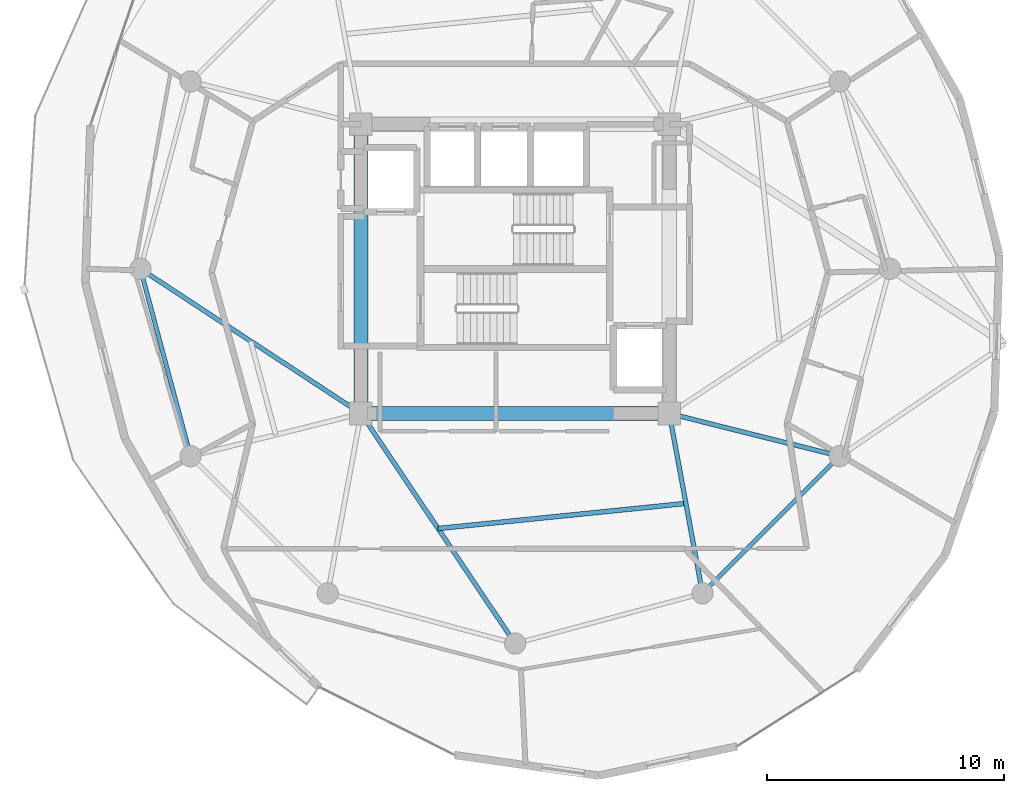
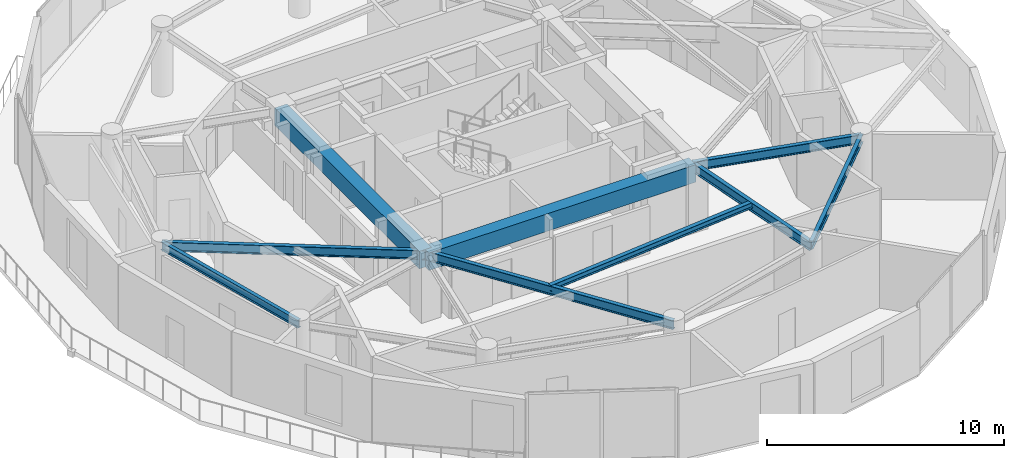
# One storey, part 6 of 19: 9 beams.
"""IFC4 building model written with IfcOpenShell, lengths in metres."""

from ifc_helpers import new_model, si_unit, direction, frame, origin, origin_2d, place, context, subcontext, project, spatial, rectangle, i_section, extrude, material, material_profile, profile_set, type_object, element, save


model = new_model("IFC4")

# Units and contexts
model_context = context("Model", 3, precision=1e-05, world=origin(), true_north=direction((0.0, 1.0)))
body_context = subcontext(model_context, "Body", "Model", "MODEL_VIEW")
ifc_project = project(units=[si_unit("LENGTHUNIT", "METRE"), si_unit("AREAUNIT", "SQUARE_METRE"), si_unit("VOLUMEUNIT", "CUBIC_METRE"), si_unit("PLANEANGLEUNIT", "RADIAN"), si_unit("MASSUNIT", "GRAM", prefix="KILO")], contexts=[model_context])

# Site, building, storey
site_placement = place(None, origin())
site = spatial("IfcSite", under=ifc_project, at=site_placement, CompositionType="ELEMENT")
building_placement = place(site_placement, origin())
building = spatial("IfcBuilding", under=site, at=building_placement, Name="Solvirekh Grand Hotel", CompositionType="ELEMENT")
storey_placement = place(building_placement, frame((0.0, 0.0, 212.800048828125)))
storey = spatial("IfcBuildingStorey", under=building, at=storey_placement, Name="L55", CompositionType="ELEMENT", Elevation=212.800048828125)

# Beams
ifc_material_1 = material(Name="Concrete C50/60", Category="concrete")
ifc_material_profile_1 = material_profile(ifc_material_1, rectangle(XDim=0.60009765625, YDim=0.89990234375, at=origin_2d()), Name="RC BEAM 600X900")
ifc_profile_set_1 = profile_set([ifc_material_profile_1], Name="Concrete C50/60")
beam_type_1 = type_object("IfcBeamType", Name="Beam_Core_RC900", PredefinedType="BEAM", material=ifc_profile_set_1)
beam_1_placement = place(storey_placement, frame((-6.5, -6.10009765625, 2.909912109375), z_axis=(1.0, 0.0, 0.0), x_axis=(0.0, 1.0, 0.0)))
element("IfcBeam", 1, at=beam_1_placement, inside=storey, type_object=beam_type_1, Name="L55 core coupling ring beam 1", PredefinedType="BEAM", context=body_context, shape_type="SweptSolid", body=[
    extrude(rectangle(XDim=0.60009765625, YDim=0.89990234375, at=origin_2d()), origin(), (0.0, 0.0, 1.0), 13.0),
])
beam_2_placement = place(storey_placement, frame((-6.5, 6.10009765625, 2.909912109375), z_axis=(0.0, -1.0, 0.0), x_axis=(1.0, 0.0, 0.0)))
element("IfcBeam", 2, at=beam_2_placement, inside=storey, type_object=beam_type_1, Name="L55 core coupling ring beam 4", PredefinedType="BEAM", context=body_context, shape_type="SweptSolid", body=[
    extrude(rectangle(XDim=0.60009765625, YDim=0.89990234375, at=origin_2d()), origin(), (0.0, 0.0, 1.0), 12.2001953125),
])
ifc_material_2 = material(Name="Steel S355", Category="steel")
ifc_material_profile_2 = material_profile(ifc_material_2, i_section(OverallWidth=0.194091796875, OverallDepth=0.468994140625, WebThickness=0.010986328125, FlangeThickness=0.01904296875, FilletRadius=0.012939453125, at=origin_2d()), Name="W460X106")
ifc_profile_set_2 = profile_set([ifc_material_profile_2], Name="Steel S355")
beam_type_2 = type_object("IfcBeamType", Name="Beam_Radial_W460H", PredefinedType="BEAM", material=ifc_profile_set_2)
beam_3_placement = place(storey_placement, frame((-6.5, -6.10009765625, 3.125), z_axis=(-0.836174064962, 0.548464158432, 0.0), x_axis=(-0.548464158432, -0.836174064962, 0.0)))
element("IfcBeam", 3, at=beam_3_placement, inside=storey, type_object=beam_type_2, Name="L55 radial floor beam R07", PredefinedType="BEAM", context=body_context, shape_type="SweptSolid", body=[
    extrude(i_section(OverallWidth=0.194091796875, OverallDepth=0.468994140625, WebThickness=0.010986328125, FlangeThickness=0.01904296875, FilletRadius=0.012939453125, at=origin_2d()), origin(), (0.0, 0.0, 1.0), 11.1220703125),
])
beam_4_placement = place(storey_placement, frame((-6.5, -6.10009765625, 3.125), z_axis=(0.556676926176, -0.830729077295, 0.0), x_axis=(0.830729077295, 0.556676926176, 0.0)))
element("IfcBeam", 4, at=beam_4_placement, inside=storey, type_object=beam_type_2, Name="L55 radial floor beam R10", PredefinedType="BEAM", context=body_context, shape_type="SweptSolid", body=[
    extrude(i_section(OverallWidth=0.194091796875, OverallDepth=0.468994140625, WebThickness=0.010986328125, FlangeThickness=0.01904296875, FilletRadius=0.012939453125, at=origin_2d()), origin(), (0.0, 0.0, 1.0), 11.676513671875),
])
beam_5_placement = place(storey_placement, frame((6.5, -6.10009765625, 3.125), z_axis=(0.181542769111, -0.983383049978, 0.0), x_axis=(0.983383049978, 0.181542769111, 0.0)))
element("IfcBeam", 5, at=beam_5_placement, inside=storey, type_object=beam_type_2, Name="L55 radial floor beam R11", PredefinedType="BEAM", context=body_context, shape_type="SweptSolid", body=[
    extrude(i_section(OverallWidth=0.194091796875, OverallDepth=0.468994140625, WebThickness=0.010986328125, FlangeThickness=0.01904296875, FilletRadius=0.012939453125, at=origin_2d()), origin(), (0.0, 0.0, 1.0), 7.711181640625),
])
beam_6_placement = place(storey_placement, frame((6.5, -6.10009765625, 3.125), z_axis=(0.970014367692, -0.243047580675, 0.0), x_axis=(0.243047580675, 0.970014367692, 0.0)))
element("IfcBeam", 6, at=beam_6_placement, inside=storey, type_object=beam_type_2, Name="L55 radial floor beam R12", PredefinedType="BEAM", context=body_context, shape_type="SweptSolid", body=[
    extrude(i_section(OverallWidth=0.194091796875, OverallDepth=0.468994140625, WebThickness=0.010986328125, FlangeThickness=0.01904296875, FilletRadius=0.012939453125, at=origin_2d()), origin(), (0.0, 0.0, 1.0), 7.4052734375),
])
ifc_material_profile_3 = material_profile(ifc_material_2, i_section(OverallWidth=0.202880859375, OverallDepth=0.302978515625, WebThickness=0.008056640625, FlangeThickness=0.012939453125, FilletRadius=0.010009765625, at=origin_2d()), Name="W310X60")
ifc_profile_set_3 = profile_set([ifc_material_profile_3], Name="Steel S355")
beam_type_3 = type_object("IfcBeamType", Name="Joist_Floor_W310", PredefinedType="JOIST", material=ifc_profile_set_3)
beam_7_placement = place(storey_placement, frame((-3.25, -10.949951171875, 3.2080078125), z_axis=(0.994915167737, 0.100716478326, 0.0), x_axis=(-0.100716478326, 0.994915167737, 0.0)))
element("IfcBeam", 7, at=beam_7_placement, inside=storey, type_object=beam_type_3, Name="L55 secondary composite floor joist 10", PredefinedType="JOIST", context=body_context, shape_type="SweptSolid", body=[
    extrude(i_section(OverallWidth=0.202880859375, OverallDepth=0.302978515625, WebThickness=0.008056640625, FlangeThickness=0.012939453125, FilletRadius=0.010009765625, at=origin_2d()), origin(), (0.0, 0.0, 1.0), 10.50341796875),
])
ifc_material_profile_4 = material_profile(ifc_material_2, i_section(OverallWidth=0.180908203125, OverallDepth=0.4169921875, WebThickness=0.010009765625, FlangeThickness=0.01611328125, FilletRadius=0.011962890625, at=origin_2d()), Name="W410X85")
ifc_profile_set_4 = profile_set([ifc_material_profile_4], Name="Steel S355")
beam_type_4 = type_object("IfcBeamType", Name="Spandrel_Ring_W410", PredefinedType="SPANDREL", material=ifc_profile_set_4)
for number, where, z_axis, x_axis, name in (
    (8, (-15.800048828125, 0.0, 3.15185546875), (0.258838541915, -0.965920601923, 0.0), (0.965920601923, 0.258838541915, 0.0), "L55 perimeter spandrel beam 7"),
    (9, (7.89990234375, -13.68310546875, 3.15185546875), (0.707106781187, 0.707106781187, 0.0), (-0.707106781187, 0.707106781187, 0.0), "L55 perimeter spandrel beam 11"),
):
    element("IfcBeam", number, at=place(storey_placement, frame(where, z_axis=z_axis, x_axis=x_axis)), inside=storey, type_object=beam_type_4, Name=name, PredefinedType="SPANDREL", context=body_context, shape_type="SweptSolid", body=[
        extrude(i_section(OverallWidth=0.180908203125, OverallDepth=0.4169921875, WebThickness=0.010009765625, FlangeThickness=0.01611328125, FilletRadius=0.011962890625, at=origin_2d()), origin(), (0.0, 0.0, 1.0), 8.1787109375),
    ])

save(model, "model.ifc")
